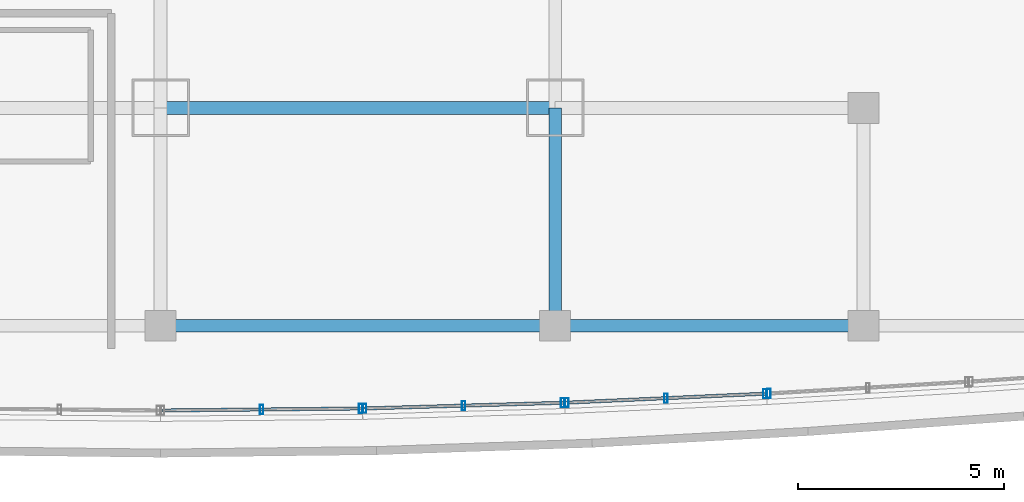
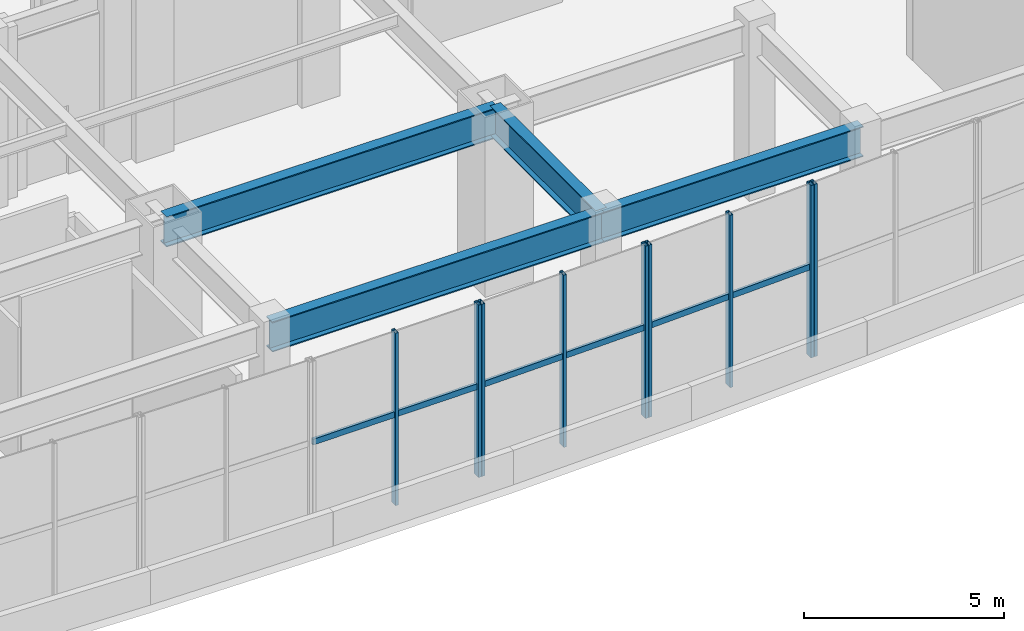
# One storey, part 7 of 24: 12 members, 4 beams, 4 elements without a shape of their own.
"""IFC4 building model written with IfcOpenShell, lengths in metres."""

from ifc_helpers import new_model, si_unit, direction, frame, origin, origin_2d, place, context, subcontext, project, spatial, hollow_rectangle, i_section, extrude, material, layer, layer_set, material_profile, profile_set, type_object, element, aggregate, save


model = new_model("IFC4")

# Units and contexts
model_context = context("Model", 3, precision=1e-05, world=origin(), true_north=direction((0.0, 1.0)))
body_context = subcontext(model_context, "Body", "Model", "MODEL_VIEW")
ifc_project = project(units=[si_unit("LENGTHUNIT", "METRE"), si_unit("AREAUNIT", "SQUARE_METRE"), si_unit("VOLUMEUNIT", "CUBIC_METRE"), si_unit("PLANEANGLEUNIT", "RADIAN"), si_unit("MASSUNIT", "GRAM", prefix="KILO")], contexts=[model_context])

# Site, building, storey
site_placement = place(None, origin())
site = spatial("IfcSite", under=ifc_project, at=site_placement, CompositionType="ELEMENT")
building_placement = place(site_placement, origin())
building = spatial("IfcBuilding", under=site, at=building_placement, Name="Vantalir Tower", CompositionType="ELEMENT")
storey_placement = place(building_placement, frame((0.0, 0.0, 16.0)))
storey = spatial("IfcBuildingStorey", under=building, at=storey_placement, Name="L03", CompositionType="ELEMENT", Elevation=16.0)

# Beams
ifc_material_1 = material(Name="Steel S355", Category="steel")
ifc_material_profile_1 = material_profile(ifc_material_1, i_section(OverallWidth=0.30810546875, OverallDepth=0.927001953125, WebThickness=0.01953125, FlangeThickness=0.031982421875, at=origin_2d()), Name="Steel S355")
ifc_profile_set_1 = profile_set([ifc_material_profile_1], Name="Steel S355")
beam_type = type_object("IfcBeamType", Name="BM-PG-914x305", PredefinedType="USERDEFINED", material=ifc_profile_set_1)
beam_1_placement = place(storey_placement, frame((31.5, 3.199951171875, 4.785888671875), z_axis=(1.0, 0.0, 0.0), x_axis=(0.0, 1.0, 0.0)))
element("IfcBeam", 1, at=beam_1_placement, inside=storey, type_object=beam_type, Name="L03 Podium E-W Girder 04", ObjectType="GIRDER", PredefinedType="USERDEFINED", context=body_context, shape_type="SweptSolid", body=[
    extrude(i_section(OverallWidth=0.30810546875, OverallDepth=0.927001953125, WebThickness=0.01953125, FlangeThickness=0.031982421875, at=origin_2d()), origin(), (0.0, 0.0, 1.0), 9.60009765625),
])
beam_2_placement = place(storey_placement, frame((41.10009765625, 3.199951171875, 4.785888671875), z_axis=(1.0, 0.0, 0.0), x_axis=(0.0, 1.0, 0.0)))
element("IfcBeam", 2, at=beam_2_placement, inside=storey, type_object=beam_type, Name="L03 Podium E-W Girder 05", ObjectType="GIRDER", PredefinedType="USERDEFINED", context=body_context, shape_type="SweptSolid", body=[
    extrude(i_section(OverallWidth=0.30810546875, OverallDepth=0.927001953125, WebThickness=0.01953125, FlangeThickness=0.031982421875, at=origin_2d()), origin(), (0.0, 0.0, 1.0), 7.5),
])
beam_3_placement = place(storey_placement, frame((31.5, 8.5, 4.785888671875), z_axis=(1.0, 0.0, 0.0), x_axis=(0.0, 1.0, 0.0)))
element("IfcBeam", 3, at=beam_3_placement, inside=storey, type_object=beam_type, Name="L03 Podium E-W Girder 10", ObjectType="GIRDER", PredefinedType="USERDEFINED", context=body_context, shape_type="SweptSolid", body=[
    extrude(i_section(OverallWidth=0.30810546875, OverallDepth=0.927001953125, WebThickness=0.01953125, FlangeThickness=0.031982421875, at=origin_2d()), origin(), (0.0, 0.0, 1.0), 9.60009765625),
])
beam_4_placement = place(storey_placement, frame((41.10009765625, 3.199951171875, 4.785888671875), z_axis=(0.0, 1.0, 0.0), x_axis=(-1.0, 0.0, 0.0)))
element("IfcBeam", 4, at=beam_4_placement, inside=storey, type_object=beam_type, Name="L03 Podium N-S Girder 63", ObjectType="GIRDER", PredefinedType="USERDEFINED", context=body_context, shape_type="SweptSolid", body=[
    extrude(i_section(OverallWidth=0.30810546875, OverallDepth=0.927001953125, WebThickness=0.01953125, FlangeThickness=0.031982421875, at=origin_2d()), origin(), (0.0, 0.0, 1.0), 5.300048828125),
])

# Curtain wall, members
ifc_material_2 = material(Name="Champagne-silver PVDF aluminium and double-silver Low-E glass", Category="aluminium")
ifc_layer = layer(ifc_material_2, 0.239990234375)
ifc_layer_set = layer_set([ifc_layer], Name="Champagne-silver PVDF aluminium and double-silver Low-E glass")
curtain_wall_type = type_object("IfcCurtainWallType", Name="CW-PODIUM-WF", PredefinedType="USERDEFINED", material=ifc_layer_set)
curtain_wall_1_placement = place(storey_placement, origin())
curtain_wall_1 = element("IfcCurtainWall", 5, at=curtain_wall_1_placement, inside=storey, type_object=curtain_wall_type, Name="L03 Waterfront Stick Curtain Wall 07", ObjectType="STICK CURTAIN WALL", PredefinedType="USERDEFINED")
ifc_material_3 = material(Name="Champagne-silver PVDF aluminium 6063-T6", Category="aluminium")
ifc_material_profile_2 = material_profile(ifc_material_3, hollow_rectangle(XDim=0.0849609375, YDim=0.219970703125, WallThickness=0.0048828125, at=origin_2d()), Name="Champagne-silver PVDF aluminium 6063-T6")
ifc_profile_set_2 = profile_set([ifc_material_profile_2], Name="Champagne-silver PVDF aluminium 6063-T6")
member_type_1 = type_object("IfcMemberType", Name="CWM-220x85", PredefinedType="MULLION", material=ifc_profile_set_2)
member_1_placement = place(storey_placement, frame((33.9580078125, 1.1640625, -0.011962890625), z_axis=(0.0, 0.0, 1.0), x_axis=(1.0, 0.0, 0.0)))
member_1 = element("IfcMember", 6, at=member_1_placement, type_object=member_type_1, Name="CW-L03-WF-07 Mullion 2", PredefinedType="MULLION", context=body_context, shape_type="SweptSolid", body=[
    extrude(hollow_rectangle(XDim=0.0849609375, YDim=0.219970703125, WallThickness=0.0048828125, at=origin_2d()), origin(), (0.0, 0.0, 1.0), 5.27392578125),
])
member_2_placement = place(storey_placement, frame((36.366943359375, 1.18798828125, -0.011962890625), z_axis=(0.0, 0.0, 1.0), x_axis=(1.0, 0.0, 0.0)))
member_2 = element("IfcMember", 7, at=member_2_placement, type_object=member_type_1, Name="CW-L03-WF-07 Mullion 3", PredefinedType="MULLION", context=body_context, shape_type="SweptSolid", body=[
    extrude(hollow_rectangle(XDim=0.0849609375, YDim=0.219970703125, WallThickness=0.0048828125, at=origin_2d()), origin(), (0.0, 0.0, 1.0), 5.27392578125),
])

curtain_wall_2_placement = place(storey_placement, origin())
curtain_wall_2 = element("IfcCurtainWall", 8, at=curtain_wall_2_placement, inside=storey, type_object=curtain_wall_type, Name="L03 Waterfront Stick Curtain Wall 08", ObjectType="STICK CURTAIN WALL", PredefinedType="USERDEFINED")
member_3_placement = place(storey_placement, frame((36.467041015625, 1.18896484375, -0.011962890625), z_axis=(0.0, 0.0, 1.0), x_axis=(1.0, 0.0, 0.0)))
member_3 = element("IfcMember", 9, at=member_3_placement, type_object=member_type_1, Name="CW-L03-WF-08 Mullion 1", PredefinedType="MULLION", context=body_context, shape_type="SweptSolid", body=[
    extrude(hollow_rectangle(XDim=0.0849609375, YDim=0.219970703125, WallThickness=0.0048828125, at=origin_2d()), origin(), (0.0, 0.0, 1.0), 5.27392578125),
])
member_4_placement = place(storey_placement, frame((38.875, 1.258056640625, -0.011962890625), z_axis=(0.0, 0.0, 1.0), x_axis=(1.0, 0.0, 0.0)))
member_4 = element("IfcMember", 10, at=member_4_placement, type_object=member_type_1, Name="CW-L03-WF-08 Mullion 2", PredefinedType="MULLION", context=body_context, shape_type="SweptSolid", body=[
    extrude(hollow_rectangle(XDim=0.0849609375, YDim=0.219970703125, WallThickness=0.0048828125, at=origin_2d()), origin(), (0.0, 0.0, 1.0), 5.27392578125),
])
member_5_placement = place(storey_placement, frame((41.282958984375, 1.326904296875, -0.011962890625), z_axis=(0.0, 0.0, 1.0), x_axis=(1.0, 0.0, 0.0)))
member_5 = element("IfcMember", 11, at=member_5_placement, type_object=member_type_1, Name="CW-L03-WF-08 Mullion 3", PredefinedType="MULLION", context=body_context, shape_type="SweptSolid", body=[
    extrude(hollow_rectangle(XDim=0.0849609375, YDim=0.219970703125, WallThickness=0.0048828125, at=origin_2d()), origin(), (0.0, 0.0, 1.0), 5.27392578125),
])

curtain_wall_3_placement = place(storey_placement, origin())
curtain_wall_3 = element("IfcCurtainWall", 12, at=curtain_wall_3_placement, inside=storey, type_object=curtain_wall_type, Name="L03 Waterfront Stick Curtain Wall 09", ObjectType="STICK CURTAIN WALL", PredefinedType="USERDEFINED")
member_6_placement = place(storey_placement, frame((41.383056640625, 1.330078125, -0.011962890625), z_axis=(0.0, 0.0, 1.0), x_axis=(1.0, 0.0, 0.0)))
member_6 = element("IfcMember", 13, at=member_6_placement, type_object=member_type_1, Name="CW-L03-WF-09 Mullion 1", PredefinedType="MULLION", context=body_context, shape_type="SweptSolid", body=[
    extrude(hollow_rectangle(XDim=0.0849609375, YDim=0.219970703125, WallThickness=0.0048828125, at=origin_2d()), origin(), (0.0, 0.0, 1.0), 5.27392578125),
])
member_7_placement = place(storey_placement, frame((43.7919921875, 1.43896484375, -0.011962890625), z_axis=(0.0, 0.0, 1.0), x_axis=(1.0, 0.0, 0.0)))
member_7 = element("IfcMember", 14, at=member_7_placement, type_object=member_type_1, Name="CW-L03-WF-09 Mullion 2", PredefinedType="MULLION", context=body_context, shape_type="SweptSolid", body=[
    extrude(hollow_rectangle(XDim=0.0849609375, YDim=0.219970703125, WallThickness=0.0048828125, at=origin_2d()), origin(), (0.0, 0.0, 1.0), 5.27392578125),
])
member_8_placement = place(storey_placement, frame((46.199951171875, 1.548095703125, -0.011962890625), z_axis=(0.0, 0.0, 1.0), x_axis=(1.0, 0.0, 0.0)))
member_8 = element("IfcMember", 15, at=member_8_placement, type_object=member_type_1, Name="CW-L03-WF-09 Mullion 3", PredefinedType="MULLION", context=body_context, shape_type="SweptSolid", body=[
    extrude(hollow_rectangle(XDim=0.0849609375, YDim=0.219970703125, WallThickness=0.0048828125, at=origin_2d()), origin(), (0.0, 0.0, 1.0), 5.27392578125),
])

# Curtain wall, member
curtain_wall_4_placement = place(storey_placement, origin())
curtain_wall_4 = element("IfcCurtainWall", 16, at=curtain_wall_4_placement, inside=storey, type_object=curtain_wall_type, Name="L03 Waterfront Stick Curtain Wall 10", ObjectType="STICK CURTAIN WALL", PredefinedType="USERDEFINED")
member_9_placement = place(storey_placement, frame((46.300048828125, 1.552978515625, -0.011962890625), z_axis=(0.0, 0.0, 1.0), x_axis=(1.0, 0.0, 0.0)))
member_9 = element("IfcMember", 17, at=member_9_placement, type_object=member_type_1, Name="CW-L03-WF-10 Mullion 1", PredefinedType="MULLION", context=body_context, shape_type="SweptSolid", body=[
    extrude(hollow_rectangle(XDim=0.0849609375, YDim=0.219970703125, WallThickness=0.0048828125, at=origin_2d()), origin(), (0.0, 0.0, 1.0), 5.27392578125),
])
aggregate(curtain_wall_4, [member_9])

# Member
ifc_material_profile_3 = material_profile(ifc_material_3, hollow_rectangle(XDim=0.080078125, YDim=0.179931640625, WallThickness=0.0048828125, at=origin_2d()), Name="Champagne-silver PVDF aluminium 6063-T6")
ifc_profile_set_3 = profile_set([ifc_material_profile_3], Name="Champagne-silver PVDF aluminium 6063-T6")
member_type_2 = type_object("IfcMemberType", Name="CWT-180x80", PredefinedType="USERDEFINED", material=ifc_profile_set_3)
member_10_placement = place(storey_placement, frame((31.550048828125, 1.139892578125, 2.72998046875), z_axis=(0.999950155664, 0.009984297043, 0.0), x_axis=(-0.009984297043, 0.999950155664, 0.0)))
member_10 = element("IfcMember", 18, at=member_10_placement, type_object=member_type_2, Name="CW-L03-WF-07 Transom 1", ObjectType="TRANSOM", PredefinedType="USERDEFINED", context=body_context, shape_type="SweptSolid", body=[
    extrude(hollow_rectangle(XDim=0.080078125, YDim=0.179931640625, WallThickness=0.0048828125, at=origin_2d()), origin(), (0.0, 0.0, 1.0), 4.817138671875),
])

aggregate(curtain_wall_1, [member_1, member_2, member_10])

member_11_placement = place(storey_placement, frame((36.467041015625, 1.18896484375, 2.72998046875), z_axis=(0.999590058651, 0.028630659188, 0.0), x_axis=(-0.028630659188, 0.999590058651, 0.0)))
member_11 = element("IfcMember", 19, at=member_11_placement, type_object=member_type_2, Name="CW-L03-WF-08 Transom 1", ObjectType="TRANSOM", PredefinedType="USERDEFINED", context=body_context, shape_type="SweptSolid", body=[
    extrude(hollow_rectangle(XDim=0.080078125, YDim=0.179931640625, WallThickness=0.0048828125, at=origin_2d()), origin(), (0.0, 0.0, 1.0), 4.81787109375),
])

aggregate(curtain_wall_2, [member_3, member_4, member_5, member_11])

member_12_placement = place(storey_placement, frame((41.383056640625, 1.330078125, 2.72998046875), z_axis=(0.998977290904, 0.045214734961, 0.0), x_axis=(-0.045214734961, 0.998977290904, 0.0)))
member_12 = element("IfcMember", 20, at=member_12_placement, type_object=member_type_2, Name="CW-L03-WF-09 Transom 1", ObjectType="TRANSOM", PredefinedType="USERDEFINED", context=body_context, shape_type="SweptSolid", body=[
    extrude(hollow_rectangle(XDim=0.080078125, YDim=0.179931640625, WallThickness=0.0048828125, at=origin_2d()), origin(), (0.0, 0.0, 1.0), 4.82177734375),
])

aggregate(curtain_wall_3, [member_6, member_7, member_8, member_12])

save(model, "model.ifc")
